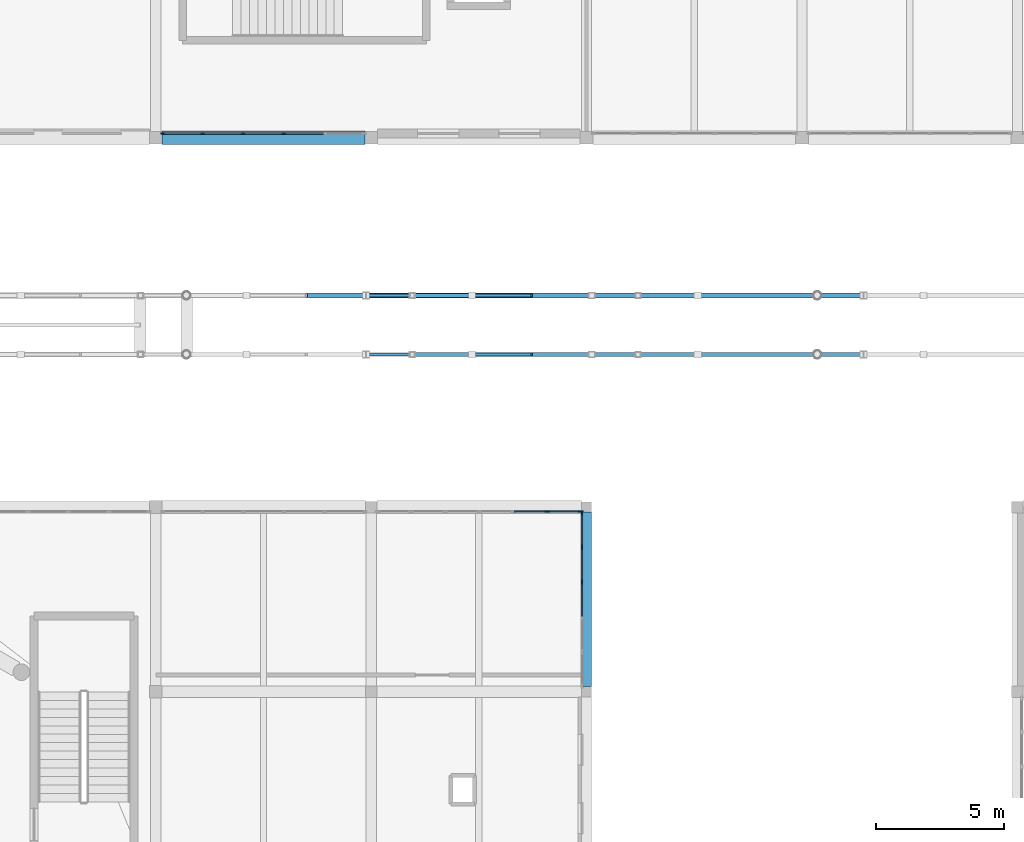
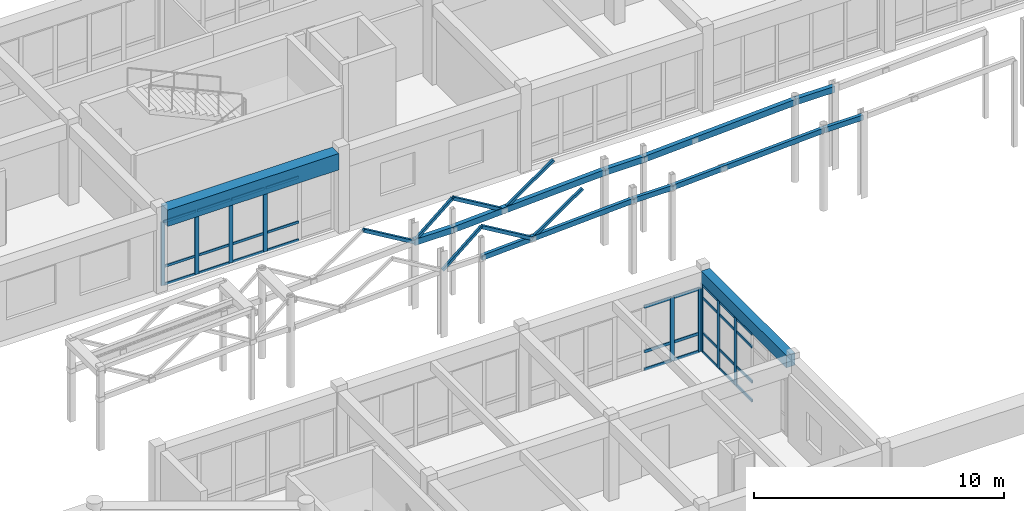
# One storey, part 38 of 147: 55 members, 2 beams, 3 elements without a shape of their own.
"""IFC4 building model written with IfcOpenShell, lengths in metres."""

from ifc_helpers import new_model, si_unit, direction, frame, origin, origin_2d, place, context, subcontext, project, spatial, rectangle, hollow_rectangle, extrude, material, material_profile, profile_set, type_object, element, aggregate, save


model = new_model("IFC4")

# Units and contexts
model_context = context("Model", 3, precision=1e-05, world=origin(), true_north=direction((0.0, 1.0)))
body_context = subcontext(model_context, "Body", "Model", "MODEL_VIEW")
ifc_project = project(units=[si_unit("LENGTHUNIT", "METRE"), si_unit("AREAUNIT", "SQUARE_METRE"), si_unit("VOLUMEUNIT", "CUBIC_METRE"), si_unit("PLANEANGLEUNIT", "RADIAN"), si_unit("MASSUNIT", "GRAM", prefix="KILO")], contexts=[model_context])

# Site, building, storey
site_placement = place(None, origin())
site = spatial("IfcSite", under=ifc_project, at=site_placement, CompositionType="ELEMENT")
building_placement = place(site_placement, origin())
building = spatial("IfcBuilding", under=site, at=building_placement, Name="Malvenik Polytechnic", CompositionType="ELEMENT")
storey_placement = place(building_placement, frame((0.0, 0.0, 5.10009765625)))
storey = spatial("IfcBuildingStorey", under=building, at=storey_placement, Name="L01", CompositionType="ELEMENT", Elevation=5.10009765625)

# Curtain wall, members
ifc_material_1 = material(Name="Anodised aluminium 6060-T6", Category="aluminium")
curtain_wall_type_1 = type_object("IfcCurtainWallType", Name="ARC-CW-CW-02", PredefinedType="NOTDEFINED", material=ifc_material_1)
curtain_wall_1_placement = place(storey_placement, origin())
curtain_wall_1 = element("IfcCurtainWall", 1, at=curtain_wall_1_placement, inside=storey, type_object=curtain_wall_type_1, Name="Unitised Curtain Wall CW-02 L01 #121", PredefinedType="NOTDEFINED")
ifc_material_2 = material(Name="Anodised aluminium", Category="aluminium")
ifc_material_profile_1 = material_profile(ifc_material_2, rectangle(XDim=0.06005859375, YDim=0.179931640625, at=origin_2d()), Name="ALU MULLION 60x180")
ifc_profile_set_1 = profile_set([ifc_material_profile_1], Name="Anodised aluminium")
member_type_1 = type_object("IfcMemberType", Name="ARC-CWM-180", PredefinedType="MULLION", material=ifc_profile_set_1)
member_1_placement = place(storey_placement, frame((38.59033203125, 50.570068359375, 0.0), z_axis=(0.0, 0.0, 1.0), x_axis=(0.0, -1.0, 0.0)))
member_1 = element("IfcMember", 2, at=member_1_placement, type_object=member_type_1, Name="CW-02 mullion 3", PredefinedType="MULLION", context=body_context, shape_type="SweptSolid", body=[
    extrude(rectangle(XDim=0.06005859375, YDim=0.179931640625, at=origin_2d()), origin(), (0.0, 0.0, 1.0), 3.10986328125),
])
member_2_placement = place(storey_placement, frame((37.009521484375, 50.570068359375, 0.0), z_axis=(0.0, 0.0, 1.0), x_axis=(0.0, -1.0, 0.0)))
member_2 = element("IfcMember", 3, at=member_2_placement, type_object=member_type_1, Name="CW-02 mullion 4", PredefinedType="MULLION", context=body_context, shape_type="SweptSolid", body=[
    extrude(rectangle(XDim=0.06005859375, YDim=0.179931640625, at=origin_2d()), origin(), (0.0, 0.0, 1.0), 3.10986328125),
])
member_3_placement = place(storey_placement, frame((35.4287109375, 50.570068359375, 0.0), z_axis=(0.0, 0.0, 1.0), x_axis=(0.0, -1.0, 0.0)))
member_3 = element("IfcMember", 4, at=member_3_placement, type_object=member_type_1, Name="CW-02 mullion 5", PredefinedType="MULLION", context=body_context, shape_type="SweptSolid", body=[
    extrude(rectangle(XDim=0.06005859375, YDim=0.179931640625, at=origin_2d()), origin(), (0.0, 0.0, 1.0), 3.10986328125),
])
member_4_placement = place(storey_placement, frame((33.8779296875, 50.570068359375, 0.0), z_axis=(0.0, 0.0, 1.0), x_axis=(0.0, -1.0, 0.0)))
member_4 = element("IfcMember", 5, at=member_4_placement, type_object=member_type_1, Name="CW-02 mullion 6", PredefinedType="MULLION", context=body_context, shape_type="SweptSolid", body=[
    extrude(rectangle(XDim=0.06005859375, YDim=0.179931640625, at=origin_2d()), origin(), (0.0, 0.0, 1.0), 3.10986328125),
])

curtain_wall_type_2 = type_object("IfcCurtainWallType", Name="ARC-CW-CW-05", PredefinedType="NOTDEFINED", material=ifc_material_1)
curtain_wall_2_placement = place(storey_placement, origin())
curtain_wall_2 = element("IfcCurtainWall", 6, at=curtain_wall_2_placement, inside=storey, type_object=curtain_wall_type_2, Name="Unitised Curtain Wall CW-05 L01 #133", PredefinedType="NOTDEFINED")
member_5_placement = place(storey_placement, frame((50.22998046875, 35.77197265625, 0.0), z_axis=(0.0, 0.0, 1.0), x_axis=(1.0, 0.0, 0.0)))
member_5 = element("IfcMember", 7, at=member_5_placement, type_object=member_type_1, Name="CW-05 mullion 1", PredefinedType="MULLION", context=body_context, shape_type="SweptSolid", body=[
    extrude(rectangle(XDim=0.06005859375, YDim=0.179931640625, at=origin_2d()), origin(), (0.0, 0.0, 1.0), 3.309814453125),
])
member_6_placement = place(storey_placement, frame((50.22998046875, 34.441162109375, 0.0), z_axis=(0.0, 0.0, 1.0), x_axis=(1.0, 0.0, 0.0)))
member_6 = element("IfcMember", 8, at=member_6_placement, type_object=member_type_1, Name="CW-05 mullion 2", PredefinedType="MULLION", context=body_context, shape_type="SweptSolid", body=[
    extrude(rectangle(XDim=0.06005859375, YDim=0.179931640625, at=origin_2d()), origin(), (0.0, 0.0, 1.0), 3.309814453125),
])
member_7_placement = place(storey_placement, frame((50.22998046875, 33.080322265625, 0.0), z_axis=(0.0, 0.0, 1.0), x_axis=(1.0, 0.0, 0.0)))
member_7 = element("IfcMember", 9, at=member_7_placement, type_object=member_type_1, Name="CW-05 mullion 3", PredefinedType="MULLION", context=body_context, shape_type="SweptSolid", body=[
    extrude(rectangle(XDim=0.06005859375, YDim=0.179931640625, at=origin_2d()), origin(), (0.0, 0.0, 1.0), 3.309814453125),
])

curtain_wall_3_placement = place(storey_placement, origin())
curtain_wall_3 = element("IfcCurtainWall", 10, at=curtain_wall_3_placement, inside=storey, type_object=curtain_wall_type_1, Name="Unitised Curtain Wall CW-02 L01 #132", PredefinedType="NOTDEFINED")
ifc_material_profile_2 = material_profile(ifc_material_2, rectangle(XDim=0.06005859375, YDim=0.199951171875, at=origin_2d()), Name="ALU MULLION 60x200")
ifc_profile_set_2 = profile_set([ifc_material_profile_2], Name="Anodised aluminium")
member_type_2 = type_object("IfcMemberType", Name="ARC-CWM-200", PredefinedType="MULLION", material=ifc_profile_set_2)
member_8_placement = place(storey_placement, frame((48.8720703125, 35.830078125, 0.0), z_axis=(0.0, 0.0, 1.0), x_axis=(0.0, 1.0, 0.0)))
member_8 = element("IfcMember", 11, at=member_8_placement, type_object=member_type_2, Name="CW-02 mullion 6", PredefinedType="MULLION", context=body_context, shape_type="SweptSolid", body=[
    extrude(rectangle(XDim=0.06005859375, YDim=0.199951171875, at=origin_2d()), origin(), (0.0, 0.0, 1.0), 3.10986328125),
])
member_9_placement = place(storey_placement, frame((50.172119140625, 35.830078125, 0.0), z_axis=(0.0, 0.0, 1.0), x_axis=(0.0, 1.0, 0.0)))
member_9 = element("IfcMember", 12, at=member_9_placement, type_object=member_type_2, Name="CW-02 mullion 7", PredefinedType="MULLION", context=body_context, shape_type="SweptSolid", body=[
    extrude(rectangle(XDim=0.06005859375, YDim=0.199951171875, at=origin_2d()), origin(), (0.0, 0.0, 1.0), 3.10986328125),
])

# Member
ifc_material_profile_3 = material_profile(ifc_material_2, rectangle(XDim=0.06005859375, YDim=0.1201171875, at=origin_2d()), Name="ALU TRANSOM 60x120")
ifc_profile_set_3 = profile_set([ifc_material_profile_3], Name="Anodised aluminium")
member_type_3 = type_object("IfcMemberType", Name="ARC-CWT-120", PredefinedType="USERDEFINED", material=ifc_profile_set_3)
member_10_placement = place(storey_placement, frame((40.14111328125, 50.570068359375, 0.02978515625), z_axis=(-1.0, 0.0, 0.0), x_axis=(0.0, -1.0, 0.0)))
member_10 = element("IfcMember", 13, at=member_10_placement, type_object=member_type_3, Name="CW-02 transom 2.1", ObjectType="TRANSOM", PredefinedType="USERDEFINED", context=body_context, shape_type="SweptSolid", body=[
    extrude(rectangle(XDim=0.06005859375, YDim=0.1201171875, at=origin_2d()), origin(), (0.0, 0.0, 1.0), 1.520751953125),
])

member_11_placement = place(storey_placement, frame((40.14111328125, 50.570068359375, 0.89990234375), z_axis=(-1.0, 0.0, 0.0), x_axis=(0.0, -1.0, 0.0)))
member_11 = element("IfcMember", 14, at=member_11_placement, type_object=member_type_3, Name="CW-02 transom 2.2", ObjectType="TRANSOM", PredefinedType="USERDEFINED", context=body_context, shape_type="SweptSolid", body=[
    extrude(rectangle(XDim=0.06005859375, YDim=0.1201171875, at=origin_2d()), origin(), (0.0, 0.0, 1.0), 1.520751953125),
])

member_12_placement = place(storey_placement, frame((40.14111328125, 50.570068359375, 3.079833984375), z_axis=(-1.0, 0.0, 0.0), x_axis=(0.0, -1.0, 0.0)))
member_12 = element("IfcMember", 15, at=member_12_placement, type_object=member_type_3, Name="CW-02 transom 2.3", ObjectType="TRANSOM", PredefinedType="USERDEFINED", context=body_context, shape_type="SweptSolid", body=[
    extrude(rectangle(XDim=0.06005859375, YDim=0.1201171875, at=origin_2d()), origin(), (0.0, 0.0, 1.0), 1.520751953125),
])

member_13_placement = place(storey_placement, frame((38.560302734375, 50.570068359375, 0.02978515625), z_axis=(-1.0, 0.0, 0.0), x_axis=(0.0, -1.0, 0.0)))
member_13 = element("IfcMember", 16, at=member_13_placement, type_object=member_type_3, Name="CW-02 transom 3.1", ObjectType="TRANSOM", PredefinedType="USERDEFINED", context=body_context, shape_type="SweptSolid", body=[
    extrude(rectangle(XDim=0.06005859375, YDim=0.1201171875, at=origin_2d()), origin(), (0.0, 0.0, 1.0), 1.520751953125),
])

member_14_placement = place(storey_placement, frame((38.560302734375, 50.570068359375, 0.89990234375), z_axis=(-1.0, 0.0, 0.0), x_axis=(0.0, -1.0, 0.0)))
member_14 = element("IfcMember", 17, at=member_14_placement, type_object=member_type_3, Name="CW-02 transom 3.2", ObjectType="TRANSOM", PredefinedType="USERDEFINED", context=body_context, shape_type="SweptSolid", body=[
    extrude(rectangle(XDim=0.06005859375, YDim=0.1201171875, at=origin_2d()), origin(), (0.0, 0.0, 1.0), 1.520751953125),
])

member_15_placement = place(storey_placement, frame((38.560302734375, 50.570068359375, 3.079833984375), z_axis=(-1.0, 0.0, 0.0), x_axis=(0.0, -1.0, 0.0)))
member_15 = element("IfcMember", 18, at=member_15_placement, type_object=member_type_3, Name="CW-02 transom 3.3", ObjectType="TRANSOM", PredefinedType="USERDEFINED", context=body_context, shape_type="SweptSolid", body=[
    extrude(rectangle(XDim=0.06005859375, YDim=0.1201171875, at=origin_2d()), origin(), (0.0, 0.0, 1.0), 1.520751953125),
])

member_16_placement = place(storey_placement, frame((36.9794921875, 50.570068359375, 0.02978515625), z_axis=(-1.0, 0.0, 0.0), x_axis=(0.0, -1.0, 0.0)))
member_16 = element("IfcMember", 19, at=member_16_placement, type_object=member_type_3, Name="CW-02 transom 4.1", ObjectType="TRANSOM", PredefinedType="USERDEFINED", context=body_context, shape_type="SweptSolid", body=[
    extrude(rectangle(XDim=0.06005859375, YDim=0.1201171875, at=origin_2d()), origin(), (0.0, 0.0, 1.0), 1.520751953125),
])

member_17_placement = place(storey_placement, frame((36.9794921875, 50.570068359375, 0.89990234375), z_axis=(-1.0, 0.0, 0.0), x_axis=(0.0, -1.0, 0.0)))
member_17 = element("IfcMember", 20, at=member_17_placement, type_object=member_type_3, Name="CW-02 transom 4.2", ObjectType="TRANSOM", PredefinedType="USERDEFINED", context=body_context, shape_type="SweptSolid", body=[
    extrude(rectangle(XDim=0.06005859375, YDim=0.1201171875, at=origin_2d()), origin(), (0.0, 0.0, 1.0), 1.520751953125),
])

member_18_placement = place(storey_placement, frame((36.9794921875, 50.570068359375, 3.079833984375), z_axis=(-1.0, 0.0, 0.0), x_axis=(0.0, -1.0, 0.0)))
member_18 = element("IfcMember", 21, at=member_18_placement, type_object=member_type_3, Name="CW-02 transom 4.3", ObjectType="TRANSOM", PredefinedType="USERDEFINED", context=body_context, shape_type="SweptSolid", body=[
    extrude(rectangle(XDim=0.06005859375, YDim=0.1201171875, at=origin_2d()), origin(), (0.0, 0.0, 1.0), 1.520751953125),
])

member_19_placement = place(storey_placement, frame((35.398681640625, 50.570068359375, 0.02978515625), z_axis=(-1.0, 0.0, 0.0), x_axis=(0.0, -1.0, 0.0)))
member_19 = element("IfcMember", 22, at=member_19_placement, type_object=member_type_3, Name="CW-02 transom 5.1", ObjectType="TRANSOM", PredefinedType="USERDEFINED", context=body_context, shape_type="SweptSolid", body=[
    extrude(rectangle(XDim=0.06005859375, YDim=0.1201171875, at=origin_2d()), origin(), (0.0, 0.0, 1.0), 1.49072265625),
])

member_20_placement = place(storey_placement, frame((35.398681640625, 50.570068359375, 0.89990234375), z_axis=(-1.0, 0.0, 0.0), x_axis=(0.0, -1.0, 0.0)))
member_20 = element("IfcMember", 23, at=member_20_placement, type_object=member_type_3, Name="CW-02 transom 5.2", ObjectType="TRANSOM", PredefinedType="USERDEFINED", context=body_context, shape_type="SweptSolid", body=[
    extrude(rectangle(XDim=0.06005859375, YDim=0.1201171875, at=origin_2d()), origin(), (0.0, 0.0, 1.0), 1.49072265625),
])

member_21_placement = place(storey_placement, frame((35.398681640625, 50.570068359375, 3.079833984375), z_axis=(-1.0, 0.0, 0.0), x_axis=(0.0, -1.0, 0.0)))
member_21 = element("IfcMember", 24, at=member_21_placement, type_object=member_type_3, Name="CW-02 transom 5.3", ObjectType="TRANSOM", PredefinedType="USERDEFINED", context=body_context, shape_type="SweptSolid", body=[
    extrude(rectangle(XDim=0.06005859375, YDim=0.1201171875, at=origin_2d()), origin(), (0.0, 0.0, 1.0), 1.49072265625),
])

aggregate(curtain_wall_1, [member_1, member_2, member_3, member_4, member_10, member_11, member_12, member_13, member_14, member_15, member_16, member_17, member_18, member_19, member_20, member_21])

member_22_placement = place(storey_placement, frame((50.22998046875, 35.741943359375, 0.02978515625), z_axis=(0.0, -1.0, 0.0), x_axis=(1.0, 0.0, 0.0)))
member_22 = element("IfcMember", 25, at=member_22_placement, type_object=member_type_3, Name="CW-05 transom 1.1", ObjectType="TRANSOM", PredefinedType="USERDEFINED", context=body_context, shape_type="SweptSolid", body=[
    extrude(rectangle(XDim=0.06005859375, YDim=0.1201171875, at=origin_2d()), origin(), (0.0, 0.0, 1.0), 1.270751953125),
])

member_23_placement = place(storey_placement, frame((50.22998046875, 35.741943359375, 0.949951171875), z_axis=(0.0, -1.0, 0.0), x_axis=(1.0, 0.0, 0.0)))
member_23 = element("IfcMember", 26, at=member_23_placement, type_object=member_type_3, Name="CW-05 transom 1.2", ObjectType="TRANSOM", PredefinedType="USERDEFINED", context=body_context, shape_type="SweptSolid", body=[
    extrude(rectangle(XDim=0.06005859375, YDim=0.1201171875, at=origin_2d()), origin(), (0.0, 0.0, 1.0), 1.270751953125),
])

member_24_placement = place(storey_placement, frame((50.22998046875, 35.741943359375, 2.659912109375), z_axis=(0.0, -1.0, 0.0), x_axis=(1.0, 0.0, 0.0)))
member_24 = element("IfcMember", 27, at=member_24_placement, type_object=member_type_3, Name="CW-05 transom 1.3", ObjectType="TRANSOM", PredefinedType="USERDEFINED", context=body_context, shape_type="SweptSolid", body=[
    extrude(rectangle(XDim=0.06005859375, YDim=0.1201171875, at=origin_2d()), origin(), (0.0, 0.0, 1.0), 1.270751953125),
])

member_25_placement = place(storey_placement, frame((50.22998046875, 35.741943359375, 3.27978515625), z_axis=(0.0, -1.0, 0.0), x_axis=(1.0, 0.0, 0.0)))
member_25 = element("IfcMember", 28, at=member_25_placement, type_object=member_type_3, Name="CW-05 transom 1.4", ObjectType="TRANSOM", PredefinedType="USERDEFINED", context=body_context, shape_type="SweptSolid", body=[
    extrude(rectangle(XDim=0.06005859375, YDim=0.1201171875, at=origin_2d()), origin(), (0.0, 0.0, 1.0), 1.270751953125),
])

member_26_placement = place(storey_placement, frame((50.22998046875, 34.4111328125, 0.02978515625), z_axis=(0.0, -1.0, 0.0), x_axis=(1.0, 0.0, 0.0)))
member_26 = element("IfcMember", 29, at=member_26_placement, type_object=member_type_3, Name="CW-05 transom 2.1", ObjectType="TRANSOM", PredefinedType="USERDEFINED", context=body_context, shape_type="SweptSolid", body=[
    extrude(rectangle(XDim=0.06005859375, YDim=0.1201171875, at=origin_2d()), origin(), (0.0, 0.0, 1.0), 1.30078125),
])

member_27_placement = place(storey_placement, frame((50.22998046875, 34.4111328125, 0.949951171875), z_axis=(0.0, -1.0, 0.0), x_axis=(1.0, 0.0, 0.0)))
member_27 = element("IfcMember", 30, at=member_27_placement, type_object=member_type_3, Name="CW-05 transom 2.2", ObjectType="TRANSOM", PredefinedType="USERDEFINED", context=body_context, shape_type="SweptSolid", body=[
    extrude(rectangle(XDim=0.06005859375, YDim=0.1201171875, at=origin_2d()), origin(), (0.0, 0.0, 1.0), 1.30078125),
])

member_28_placement = place(storey_placement, frame((50.22998046875, 34.4111328125, 2.659912109375), z_axis=(0.0, -1.0, 0.0), x_axis=(1.0, 0.0, 0.0)))
member_28 = element("IfcMember", 31, at=member_28_placement, type_object=member_type_3, Name="CW-05 transom 2.3", ObjectType="TRANSOM", PredefinedType="USERDEFINED", context=body_context, shape_type="SweptSolid", body=[
    extrude(rectangle(XDim=0.06005859375, YDim=0.1201171875, at=origin_2d()), origin(), (0.0, 0.0, 1.0), 1.30078125),
])

member_29_placement = place(storey_placement, frame((50.22998046875, 34.4111328125, 3.27978515625), z_axis=(0.0, -1.0, 0.0), x_axis=(1.0, 0.0, 0.0)))
member_29 = element("IfcMember", 32, at=member_29_placement, type_object=member_type_3, Name="CW-05 transom 2.4", ObjectType="TRANSOM", PredefinedType="USERDEFINED", context=body_context, shape_type="SweptSolid", body=[
    extrude(rectangle(XDim=0.06005859375, YDim=0.1201171875, at=origin_2d()), origin(), (0.0, 0.0, 1.0), 1.30078125),
])

member_30_placement = place(storey_placement, frame((50.22998046875, 33.05029296875, 0.02978515625), z_axis=(0.0, -1.0, 0.0), x_axis=(1.0, 0.0, 0.0)))
member_30 = element("IfcMember", 33, at=member_30_placement, type_object=member_type_3, Name="CW-05 transom 3.1", ObjectType="TRANSOM", PredefinedType="USERDEFINED", context=body_context, shape_type="SweptSolid", body=[
    extrude(rectangle(XDim=0.06005859375, YDim=0.1201171875, at=origin_2d()), origin(), (0.0, 0.0, 1.0), 1.30078125),
])

member_31_placement = place(storey_placement, frame((50.22998046875, 33.05029296875, 0.949951171875), z_axis=(0.0, -1.0, 0.0), x_axis=(1.0, 0.0, 0.0)))
member_31 = element("IfcMember", 34, at=member_31_placement, type_object=member_type_3, Name="CW-05 transom 3.2", ObjectType="TRANSOM", PredefinedType="USERDEFINED", context=body_context, shape_type="SweptSolid", body=[
    extrude(rectangle(XDim=0.06005859375, YDim=0.1201171875, at=origin_2d()), origin(), (0.0, 0.0, 1.0), 1.30078125),
])

member_32_placement = place(storey_placement, frame((50.22998046875, 33.05029296875, 2.659912109375), z_axis=(0.0, -1.0, 0.0), x_axis=(1.0, 0.0, 0.0)))
member_32 = element("IfcMember", 35, at=member_32_placement, type_object=member_type_3, Name="CW-05 transom 3.3", ObjectType="TRANSOM", PredefinedType="USERDEFINED", context=body_context, shape_type="SweptSolid", body=[
    extrude(rectangle(XDim=0.06005859375, YDim=0.1201171875, at=origin_2d()), origin(), (0.0, 0.0, 1.0), 1.30078125),
])

member_33_placement = place(storey_placement, frame((50.22998046875, 33.05029296875, 3.27978515625), z_axis=(0.0, -1.0, 0.0), x_axis=(1.0, 0.0, 0.0)))
member_33 = element("IfcMember", 36, at=member_33_placement, type_object=member_type_3, Name="CW-05 transom 3.4", ObjectType="TRANSOM", PredefinedType="USERDEFINED", context=body_context, shape_type="SweptSolid", body=[
    extrude(rectangle(XDim=0.06005859375, YDim=0.1201171875, at=origin_2d()), origin(), (0.0, 0.0, 1.0), 1.30078125),
])

aggregate(curtain_wall_2, [member_5, member_6, member_7, member_22, member_23, member_24, member_25, member_26, member_27, member_28, member_29, member_30, member_31, member_32, member_33])

ifc_material_profile_4 = material_profile(ifc_material_2, rectangle(XDim=0.06005859375, YDim=0.139892578125, at=origin_2d()), Name="ALU TRANSOM 60x140")
ifc_profile_set_4 = profile_set([ifc_material_profile_4], Name="Anodised aluminium")
member_type_4 = type_object("IfcMemberType", Name="ARC-CWT-140", PredefinedType="USERDEFINED", material=ifc_profile_set_4)
member_34_placement = place(storey_placement, frame((47.572265625, 35.830078125, 0.02978515625), z_axis=(1.0, 0.0, 0.0), x_axis=(0.0, 1.0, 0.0)))
member_34 = element("IfcMember", 37, at=member_34_placement, type_object=member_type_4, Name="CW-02 transom 5.1", ObjectType="TRANSOM", PredefinedType="USERDEFINED", context=body_context, shape_type="SweptSolid", body=[
    extrude(rectangle(XDim=0.06005859375, YDim=0.139892578125, at=origin_2d()), origin(), (0.0, 0.0, 1.0), 1.27001953125),
])

member_35_placement = place(storey_placement, frame((47.572265625, 35.830078125, 0.89990234375), z_axis=(1.0, 0.0, 0.0), x_axis=(0.0, 1.0, 0.0)))
member_35 = element("IfcMember", 38, at=member_35_placement, type_object=member_type_4, Name="CW-02 transom 5.2", ObjectType="TRANSOM", PredefinedType="USERDEFINED", context=body_context, shape_type="SweptSolid", body=[
    extrude(rectangle(XDim=0.06005859375, YDim=0.139892578125, at=origin_2d()), origin(), (0.0, 0.0, 1.0), 1.27001953125),
])

member_36_placement = place(storey_placement, frame((47.572265625, 35.830078125, 3.079833984375), z_axis=(1.0, 0.0, 0.0), x_axis=(0.0, 1.0, 0.0)))
member_36 = element("IfcMember", 39, at=member_36_placement, type_object=member_type_4, Name="CW-02 transom 5.3", ObjectType="TRANSOM", PredefinedType="USERDEFINED", context=body_context, shape_type="SweptSolid", body=[
    extrude(rectangle(XDim=0.06005859375, YDim=0.139892578125, at=origin_2d()), origin(), (0.0, 0.0, 1.0), 1.27001953125),
])

member_37_placement = place(storey_placement, frame((48.902099609375, 35.830078125, 0.02978515625), z_axis=(1.0, 0.0, 0.0), x_axis=(0.0, 1.0, 0.0)))
member_37 = element("IfcMember", 40, at=member_37_placement, type_object=member_type_4, Name="CW-02 transom 6.1", ObjectType="TRANSOM", PredefinedType="USERDEFINED", context=body_context, shape_type="SweptSolid", body=[
    extrude(rectangle(XDim=0.06005859375, YDim=0.139892578125, at=origin_2d()), origin(), (0.0, 0.0, 1.0), 1.239990234375),
])

member_38_placement = place(storey_placement, frame((48.902099609375, 35.830078125, 0.89990234375), z_axis=(1.0, 0.0, 0.0), x_axis=(0.0, 1.0, 0.0)))
member_38 = element("IfcMember", 41, at=member_38_placement, type_object=member_type_4, Name="CW-02 transom 6.2", ObjectType="TRANSOM", PredefinedType="USERDEFINED", context=body_context, shape_type="SweptSolid", body=[
    extrude(rectangle(XDim=0.06005859375, YDim=0.139892578125, at=origin_2d()), origin(), (0.0, 0.0, 1.0), 1.239990234375),
])

member_39_placement = place(storey_placement, frame((48.902099609375, 35.830078125, 3.079833984375), z_axis=(1.0, 0.0, 0.0), x_axis=(0.0, 1.0, 0.0)))
member_39 = element("IfcMember", 42, at=member_39_placement, type_object=member_type_4, Name="CW-02 transom 6.3", ObjectType="TRANSOM", PredefinedType="USERDEFINED", context=body_context, shape_type="SweptSolid", body=[
    extrude(rectangle(XDim=0.06005859375, YDim=0.139892578125, at=origin_2d()), origin(), (0.0, 0.0, 1.0), 1.239990234375),
])

aggregate(curtain_wall_3, [member_8, member_9, member_34, member_35, member_36, member_37, member_38, member_39])

# Beams
ifc_material_3 = material(Name="Concrete C35/45", Category="concrete")
ifc_material_profile_5 = material_profile(ifc_material_3, rectangle(XDim=0.39990234375, YDim=0.60009765625, at=origin_2d()), Name="RC BM 400x600")
ifc_profile_set_5 = profile_set([ifc_material_profile_5], Name="Concrete C35/45")
beam_type_1 = type_object("IfcBeamType", Name="STR-BM-B-06", PredefinedType="BEAM", material=ifc_profile_set_5)
beam_1_placement = place(storey_placement, frame((50.39990234375, 28.998046875, 3.619873046875), z_axis=(0.0, 1.0, 0.0), x_axis=(-1.0, 0.0, 0.0)))
element("IfcBeam", 43, at=beam_1_placement, inside=storey, type_object=beam_type_1, Name="Transverse Beam B-06 L01 #1160", PredefinedType="BEAM", context=body_context, shape_type="SweptSolid", body=[
    extrude(rectangle(XDim=0.39990234375, YDim=0.60009765625, at=origin_2d()), origin(), (0.0, 0.0, 1.0), 6.803955078125),
])
ifc_material_4 = material(Name="Precast concrete C40/50", Category="concrete")
ifc_material_profile_6 = material_profile(ifc_material_4, rectangle(XDim=0.52001953125, YDim=0.800048828125, at=origin_2d()), Name="PC SPN 520x800")
ifc_profile_set_6 = profile_set([ifc_material_profile_6], Name="Precast concrete C40/50")
beam_type_2 = type_object("IfcBeamType", Name="STR-BM-SP-01", PredefinedType="SPANDREL", material=ifc_profile_set_6)
beam_2_placement = place(storey_placement, frame((33.847900390625, 50.39990234375, 3.52001953125), z_axis=(1.0, 0.0, 0.0), x_axis=(0.0, 1.0, 0.0)))
element("IfcBeam", 44, at=beam_2_placement, inside=storey, type_object=beam_type_2, Name="Primary Beam SP-01 L01 #1003", PredefinedType="SPANDREL", context=body_context, shape_type="SweptSolid", body=[
    extrude(rectangle(XDim=0.52001953125, YDim=0.800048828125, at=origin_2d()), origin(), (0.0, 0.0, 1.0), 7.904052734375),
])

# Members
ifc_material_5 = material(Name="Steel S355J2H", Category="steel")
ifc_material_profile_7 = material_profile(ifc_material_5, hollow_rectangle(XDim=0.14990234375, YDim=0.25, WallThickness=0.010009765625, at=origin_2d()), Name="RHS 250x150x10.0")
ifc_profile_set_7 = profile_set([ifc_material_profile_7], Name="Steel S355J2H")
member_type_5 = type_object("IfcMemberType", Name="STR-MEM-TRB-01", PredefinedType="CHORD", material=ifc_profile_set_7)
member_40_placement = place(storey_placement, frame((43.60400390625, 41.949951171875, 3.18017578125), z_axis=(0.998752251909, 0.0, 0.049939356288), x_axis=(0.0, 1.0, 0.0)))
element("IfcMember", 45, at=member_40_placement, inside=storey, type_object=member_type_5, Name="Space-Frame Tube TRB-01 STR-TR-BC-RB-01-1-04", PredefinedType="CHORD", context=body_context, shape_type="SweptSolid", body=[
    extrude(hollow_rectangle(XDim=0.14990234375, YDim=0.25, WallThickness=0.010009765625, at=origin_2d()), origin(), (0.0, 0.0, 1.0), 7.000732421875),
])
member_41_placement = place(storey_placement, frame((50.60400390625, 41.949951171875, 3.52978515625), z_axis=(1.0, 0.0, 0.0), x_axis=(0.0, 1.0, 0.0)))
element("IfcMember", 46, at=member_41_placement, inside=storey, type_object=member_type_5, Name="Space-Frame Tube TRB-01 STR-TR-BC-RB-01-1-05", PredefinedType="CHORD", context=body_context, shape_type="SweptSolid", body=[
    extrude(hollow_rectangle(XDim=0.14990234375, YDim=0.25, WallThickness=0.010009765625, at=origin_2d()), origin(), (0.0, 0.0, 1.0), 1.7919921875),
])
member_42_placement = place(storey_placement, frame((52.404052734375, 41.949951171875, 3.530029296875), z_axis=(0.998752251909, 0.0, 0.049939356288), x_axis=(0.0, 1.0, 0.0)))
element("IfcMember", 47, at=member_42_placement, inside=storey, type_object=member_type_5, Name="Space-Frame Tube TRB-01 STR-TR-BC-RB-01-1-06", PredefinedType="CHORD", context=body_context, shape_type="SweptSolid", body=[
    extrude(hollow_rectangle(XDim=0.14990234375, YDim=0.25, WallThickness=0.010009765625, at=origin_2d()), origin(), (0.0, 0.0, 1.0), 7.000732421875),
])
member_43_placement = place(storey_placement, frame((59.404052734375, 41.949951171875, 3.8798828125), z_axis=(1.0, 0.0, 0.0), x_axis=(0.0, 1.0, 0.0)))
element("IfcMember", 48, at=member_43_placement, inside=storey, type_object=member_type_5, Name="Space-Frame Tube TRB-01 STR-TR-BC-RB-01-1-07", PredefinedType="CHORD", context=body_context, shape_type="SweptSolid", body=[
    extrude(hollow_rectangle(XDim=0.14990234375, YDim=0.25, WallThickness=0.010009765625, at=origin_2d()), origin(), (0.0, 0.0, 1.0), 1.7919921875),
])
ifc_material_profile_8 = material_profile(ifc_material_5, hollow_rectangle(XDim=0.199951171875, YDim=0.300048828125, WallThickness=0.010009765625, at=origin_2d()), Name="RHS 300x200x10.0")
ifc_profile_set_8 = profile_set([ifc_material_profile_8], Name="Steel S355J2H")
member_type_6 = type_object("IfcMemberType", Name="STR-MEM-TRB-02", PredefinedType="CHORD", material=ifc_profile_set_8)
member_44_placement = place(storey_placement, frame((41.803955078125, 44.25, 3.179931640625), z_axis=(1.0, 0.0, 0.0), x_axis=(0.0, 1.0, 0.0)))
element("IfcMember", 49, at=member_44_placement, inside=storey, type_object=member_type_6, Name="Space-Frame Tube TRB-02 STR-TR-BC-RB-01-2-03", PredefinedType="CHORD", context=body_context, shape_type="SweptSolid", body=[
    extrude(hollow_rectangle(XDim=0.199951171875, YDim=0.300048828125, WallThickness=0.010009765625, at=origin_2d()), origin(), (0.0, 0.0, 1.0), 1.7919921875),
])
member_45_placement = place(storey_placement, frame((43.60400390625, 44.25, 3.18017578125), z_axis=(0.998752251909, 0.0, 0.049939356288), x_axis=(0.0, 1.0, 0.0)))
element("IfcMember", 50, at=member_45_placement, inside=storey, type_object=member_type_6, Name="Space-Frame Tube TRB-02 STR-TR-BC-RB-01-2-04", PredefinedType="CHORD", context=body_context, shape_type="SweptSolid", body=[
    extrude(hollow_rectangle(XDim=0.199951171875, YDim=0.300048828125, WallThickness=0.010009765625, at=origin_2d()), origin(), (0.0, 0.0, 1.0), 7.000732421875),
])
member_46_placement = place(storey_placement, frame((50.60400390625, 44.25, 3.52978515625), z_axis=(1.0, 0.0, 0.0), x_axis=(0.0, 1.0, 0.0)))
element("IfcMember", 51, at=member_46_placement, inside=storey, type_object=member_type_6, Name="Space-Frame Tube TRB-02 STR-TR-BC-RB-01-2-05", PredefinedType="CHORD", context=body_context, shape_type="SweptSolid", body=[
    extrude(hollow_rectangle(XDim=0.199951171875, YDim=0.300048828125, WallThickness=0.010009765625, at=origin_2d()), origin(), (0.0, 0.0, 1.0), 1.7919921875),
])
member_47_placement = place(storey_placement, frame((52.404052734375, 44.25, 3.530029296875), z_axis=(0.998752251909, 0.0, 0.049939356288), x_axis=(0.0, 1.0, 0.0)))
element("IfcMember", 52, at=member_47_placement, inside=storey, type_object=member_type_6, Name="Space-Frame Tube TRB-02 STR-TR-BC-RB-01-2-06", PredefinedType="CHORD", context=body_context, shape_type="SweptSolid", body=[
    extrude(hollow_rectangle(XDim=0.199951171875, YDim=0.300048828125, WallThickness=0.010009765625, at=origin_2d()), origin(), (0.0, 0.0, 1.0), 7.000732421875),
])
member_48_placement = place(storey_placement, frame((59.404052734375, 44.25, 3.8798828125), z_axis=(1.0, 0.0, 0.0), x_axis=(0.0, 1.0, 0.0)))
element("IfcMember", 53, at=member_48_placement, inside=storey, type_object=member_type_6, Name="Space-Frame Tube TRB-02 STR-TR-BC-RB-01-2-07", PredefinedType="CHORD", context=body_context, shape_type="SweptSolid", body=[
    extrude(hollow_rectangle(XDim=0.199951171875, YDim=0.300048828125, WallThickness=0.010009765625, at=origin_2d()), origin(), (0.0, 0.0, 1.0), 1.7919921875),
])
ifc_material_profile_9 = material_profile(ifc_material_5, hollow_rectangle(XDim=0.14990234375, YDim=0.14990234375, WallThickness=0.008056640625, at=origin_2d()), Name="SHS 150x150x8.0")
ifc_profile_set_9 = profile_set([ifc_material_profile_9], Name="Steel S355J2H")
member_type_7 = type_object("IfcMemberType", Name="STR-MEM-TRD-01", PredefinedType="BRACE", material=ifc_profile_set_9)
for number, where, z_axis, x_axis, name in (
    (54, (43.603515625, 41.949951171875, 4.677978515625), (0.860165406805, 0.0, -0.51001516932), (0.0, 1.0, 0.0), "Space-Frame Tube TRD-01 STR-TRD-01-RB-01-1-04"),
    (55, (39.47021484375, 44.25, 4.561279296875), (0.860165406805, 0.0, -0.51001516932), (0.0, 1.0, 0.0), "Space-Frame Tube TRD-01 STR-TRD-03-RB-01-2-02"),
    (56, (43.603515625, 44.25, 4.677978515625), (0.860165406805, 0.0, -0.51001516932), (0.0, 1.0, 0.0), "Space-Frame Tube TRD-01 STR-TRD-01-RB-01-2-04"),
):
    element("IfcMember", number, at=place(storey_placement, frame(where, z_axis=z_axis, x_axis=x_axis)), inside=storey, type_object=member_type_7, Name=name, PredefinedType="BRACE", context=body_context, shape_type="SweptSolid", body=[
        extrude(hollow_rectangle(XDim=0.14990234375, YDim=0.14990234375, WallThickness=0.008056640625, at=origin_2d()), origin(), (0.0, 0.0, 1.0), 2.70458984375),
    ])
ifc_material_profile_10 = material_profile(ifc_material_5, hollow_rectangle(XDim=0.1201171875, YDim=0.1201171875, WallThickness=0.00634765625, at=origin_2d()), Name="SHS 120x120x6.3")
ifc_profile_set_10 = profile_set([ifc_material_profile_10], Name="Steel S355J2H")
member_type_8 = type_object("IfcMemberType", Name="STR-MEM-TRD-02", PredefinedType="BRACE", material=ifc_profile_set_10)
member_49_placement = place(storey_placement, frame((41.802978515625, 41.949951171875, 3.1826171875), z_axis=(0.768289837605, 0.0, 0.640102121097), x_axis=(0.0, 1.0, 0.0)))
element("IfcMember", 57, at=member_49_placement, inside=storey, type_object=member_type_8, Name="Space-Frame Tube TRD-02 STR-TR-DGL-RB-01-1-03", PredefinedType="BRACE", context=body_context, shape_type="SweptSolid", body=[
    extrude(hollow_rectangle(XDim=0.1201171875, YDim=0.1201171875, WallThickness=0.00634765625, at=origin_2d()), origin(), (0.0, 0.0, 1.0), 2.3349609375),
])
member_50_placement = place(storey_placement, frame((45.9365234375, 41.949951171875, 3.298828125), z_axis=(0.822005857331, 0.0, 0.569479034305), x_axis=(0.0, 1.0, 0.0)))
element("IfcMember", 58, at=member_50_placement, inside=storey, type_object=member_type_8, Name="Space-Frame Tube TRD-02 STR-TRD-02-RB-01-1-04", PredefinedType="BRACE", context=body_context, shape_type="SweptSolid", body=[
    extrude(hollow_rectangle(XDim=0.1201171875, YDim=0.1201171875, WallThickness=0.00634765625, at=origin_2d()), origin(), (0.0, 0.0, 1.0), 2.830810546875),
])
member_51_placement = place(storey_placement, frame((41.802978515625, 44.25, 3.1826171875), z_axis=(0.768289837605, 0.0, 0.640102121097), x_axis=(0.0, 1.0, 0.0)))
element("IfcMember", 59, at=member_51_placement, inside=storey, type_object=member_type_8, Name="Space-Frame Tube TRD-02 STR-TR-DGL-RB-01-2-03", PredefinedType="BRACE", context=body_context, shape_type="SweptSolid", body=[
    extrude(hollow_rectangle(XDim=0.1201171875, YDim=0.1201171875, WallThickness=0.00634765625, at=origin_2d()), origin(), (0.0, 0.0, 1.0), 2.3349609375),
])
member_52_placement = place(storey_placement, frame((45.9365234375, 44.25, 3.298828125), z_axis=(0.822005857331, 0.0, 0.569479034305), x_axis=(0.0, 1.0, 0.0)))
element("IfcMember", 60, at=member_52_placement, inside=storey, type_object=member_type_8, Name="Space-Frame Tube TRD-02 STR-TRD-02-RB-01-2-04", PredefinedType="BRACE", context=body_context, shape_type="SweptSolid", body=[
    extrude(hollow_rectangle(XDim=0.1201171875, YDim=0.1201171875, WallThickness=0.00634765625, at=origin_2d()), origin(), (0.0, 0.0, 1.0), 2.830810546875),
])

save(model, "model.ifc")
